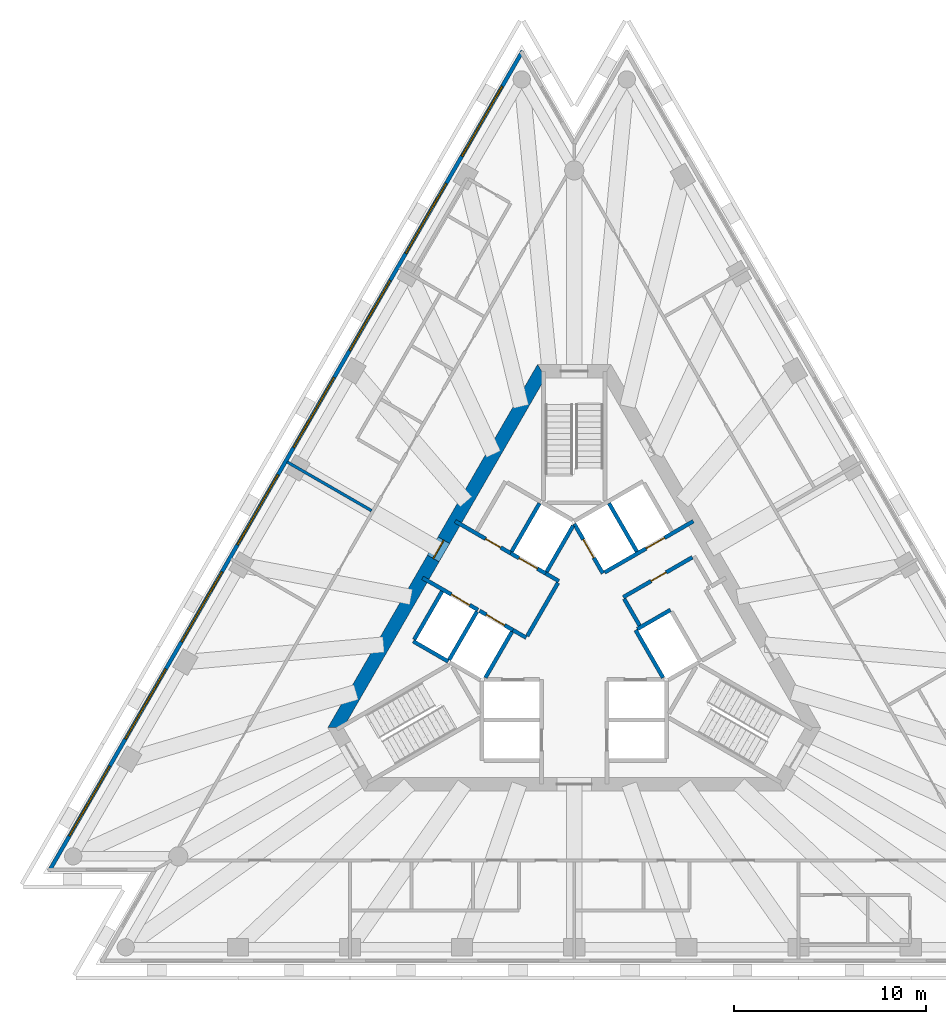
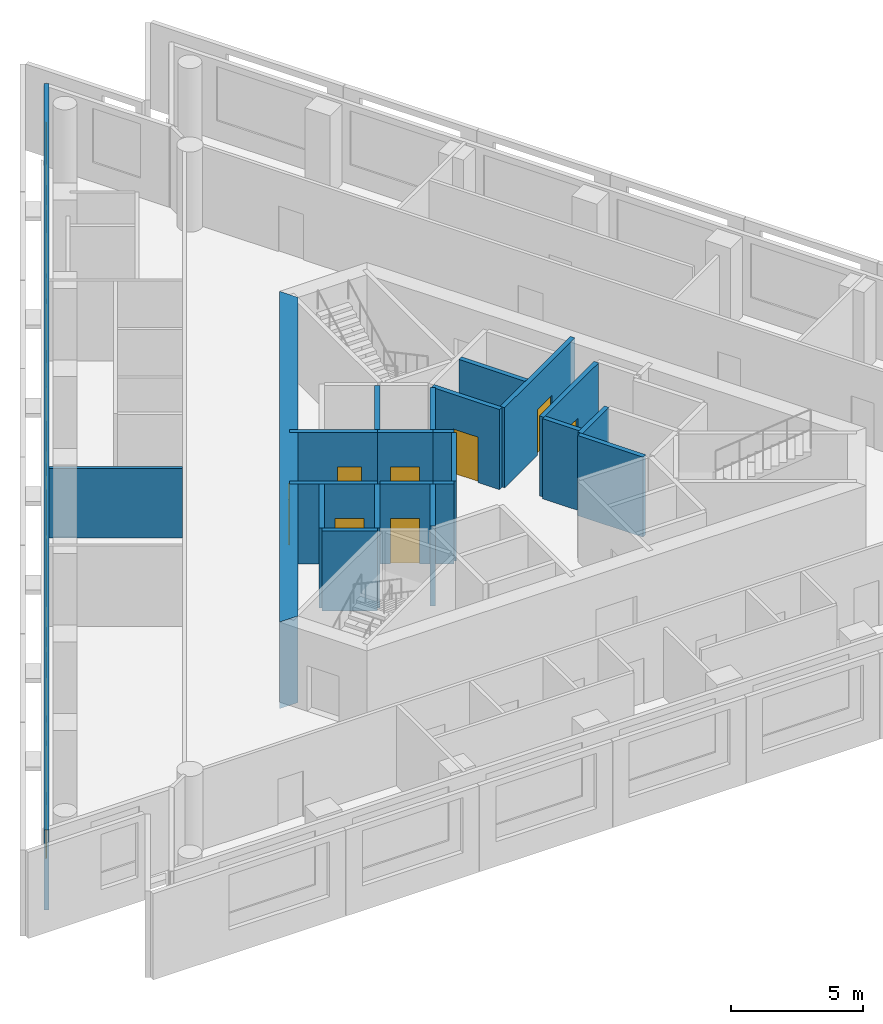
# One storey, part 4 of 10: 23 walls, 8 doors, 8 windows, 16 openings.
"""IFC4 building model written with IfcOpenShell, lengths in metres."""

from ifc_helpers import new_model, si_unit, direction, frame, frame_2d, origin, place, context, subcontext, project, spatial, polyline, rectangle, outline, extrude, material, layer, layer_set, layer_usage, type_object, element, fill, save


model = new_model("IFC4")

# Units and contexts
model_context = context("Model", 3, precision=1e-05, world=origin(), true_north=direction((0.0, 1.0)))
body_context = subcontext(model_context, "Body", "Model", "MODEL_VIEW")
ifc_project = project(units=[si_unit("LENGTHUNIT", "METRE"), si_unit("AREAUNIT", "SQUARE_METRE"), si_unit("VOLUMEUNIT", "CUBIC_METRE"), si_unit("PLANEANGLEUNIT", "RADIAN"), si_unit("MASSUNIT", "GRAM", prefix="KILO")], contexts=[model_context])

# Site, building, storey
site_placement = place(None, origin())
site = spatial("IfcSite", under=ifc_project, at=site_placement, CompositionType="ELEMENT")
building_placement = place(site_placement, origin())
building = spatial("IfcBuilding", under=site, at=building_placement, Name="Triada Interchange Tower", CompositionType="ELEMENT")
storey_placement = place(building_placement, frame((0.0, 0.0, 243.300048828125)))
storey = spatial("IfcBuildingStorey", under=building, at=storey_placement, Name="L57", CompositionType="ELEMENT", Elevation=243.300048828125)

# Walls
ifc_material_1 = material(Name="Concrete C30/37", Category="concrete")
ifc_layer_1 = layer(ifc_material_1, 0.199951171875)
ifc_layer_set_1 = layer_set([ifc_layer_1], Name="CORE WALL 200 EI 120")
wall_type_1 = type_object("IfcWallType", Name="CORE WALL 200 EI 120", PredefinedType="SOLIDWALL", material=ifc_layer_set_1)
wall_1_placement = place(storey_placement, frame((-8.3759765625, -0.70703125, 0.0), z_axis=(0.0, 0.0, 1.0), x_axis=(0.866067520717, -0.499927044236, 0.0)))
element("IfcWall", 1, at=wall_1_placement, inside=storey, type_object=wall_type_1, Name="Wall L56 41", PredefinedType="SOLIDWALL", context=body_context, shape_type="SweptSolid", body=[
    extrude(rectangle(XDim=2.100341796875, YDim=0.199951171875, at=frame_2d((1.05029296875, 0.0))), origin(), (0.0, 0.0, 1.0), 3.699951171875),
])
wall_2_placement = place(storey_placement, frame((-8.325927734375, -0.6201171875, 0.0), z_axis=(0.0, 0.0, 1.0), x_axis=(0.500023687443, 0.866011727401, 0.0)))
element("IfcWall", 2, at=wall_2_placement, inside=storey, type_object=wall_type_1, Name="Wall L56 42", PredefinedType="SOLIDWALL", context=body_context, shape_type="SweptSolid", body=[
    extrude(rectangle(XDim=2.899658203125, YDim=0.199951171875, at=frame_2d((1.44970703125, 0.0))), origin(), (0.0, 0.0, 1.0), 3.699951171875),
])

# Wall, opening, door
wall_3_placement = place(storey_placement, frame((0.0, 5.39990234375, 0.0), z_axis=(0.0, 0.0, 1.0), x_axis=(0.500103862429, -0.865965430478, 0.0)))
wall_3 = element("IfcWall", 3, at=wall_3_placement, inside=storey, type_object=wall_type_1, Name="Wall L56 52", PredefinedType="SOLIDWALL", context=body_context, shape_type="SweptSolid", body=[
    extrude(rectangle(XDim=2.973388671875, YDim=0.199951171875, at=frame_2d((1.48681640625, 0.0))), origin(), (0.0, 0.0, 1.0), 3.699951171875),
])
opening_1_placement = place(wall_3_placement, frame((0.93701171875, 0.0, 0.0)))
opening_1 = element("IfcOpeningElement", 4, at=opening_1_placement, cuts=wall_3, Name="Opening LD-HR5", PredefinedType="OPENING", context=body_context, shape_type="SweptSolid", body=[
    extrude(rectangle(XDim=1.10009765625, YDim=2.10009765625, at=frame_2d((0.550048828125, 1.050048828125))), frame((0.0, 0.10986328125, 0.0), z_axis=(0.0, -1.0, 0.0), x_axis=(1.0, 0.0, 0.0)), (0.0, 0.0, 1.0), 0.219970703125),
])
ifc_material_2 = material(Name="Steel S235 door leaf", Category="steel")
door_type_1 = type_object("IfcDoorType", Name="LIFT LANDING DOOR 1100 EI 120", OperationType="SLIDING_TO_LEFT", PredefinedType="DOOR", material=ifc_material_2)
door_1_placement = place(opening_1_placement, origin())
door_1 = element("IfcDoor", 5, at=door_1_placement, inside=storey, type_object=door_type_1, Name="HR5 landing door L57", OperationType="SLIDING_TO_LEFT", OverallHeight=2.10009765625, OverallWidth=1.10009765625, PredefinedType="DOOR", context=body_context, shape_type="SweptSolid", body=[
    extrude(rectangle(XDim=1.10009765625, YDim=2.10009765625, at=frame_2d((0.550048828125, 1.050048828125))), frame((0.0, 0.02490234375, 0.0), z_axis=(0.0, -1.0, 0.0), x_axis=(1.0, 0.0, 0.0)), (0.0, 0.0, 1.0), 0.050048828125),
])
fill(opening_1, door_1)

# Wall
wall_4_placement = place(storey_placement, frame((3.18994140625, -0.125, 0.0), z_axis=(0.0, 0.0, 1.0), x_axis=(0.499988658015, -0.866031951983, 0.0)))
element("IfcWall", 6, at=wall_4_placement, inside=storey, type_object=wall_type_1, Name="Wall L56 53", PredefinedType="SOLIDWALL", context=body_context, shape_type="SweptSolid", body=[
    extrude(rectangle(XDim=2.85791015625, YDim=0.199951171875, at=frame_2d((1.428955078125, 0.0))), origin(), (0.0, 0.0, 1.0), 3.699951171875),
])

# Wall, opening, door
wall_5_placement = place(storey_placement, frame((1.577880859375, 2.8740234375, 0.0), z_axis=(0.0, 0.0, 1.0), x_axis=(0.866045911672, 0.499964477614, 0.0)))
wall_5 = element("IfcWall", 7, at=wall_5_placement, inside=storey, type_object=wall_type_1, Name="Wall L56 54", PredefinedType="SOLIDWALL", context=body_context, shape_type="SweptSolid", body=[
    extrude(rectangle(XDim=5.32666015625, YDim=0.199951171875, at=frame_2d((2.663330078125, 0.0))), origin(), (0.0, 0.0, 1.0), 3.699951171875),
])
opening_2_placement = place(wall_5_placement, frame((2.49609375, 0.0, 0.0)))
opening_2 = element("IfcOpeningElement", 8, at=opening_2_placement, cuts=wall_5, Name="Opening LD-HR6", PredefinedType="OPENING", context=body_context, shape_type="SweptSolid", body=[
    extrude(rectangle(XDim=1.10009765625, YDim=2.10009765625, at=frame_2d((0.550048828125, 1.050048828125))), frame((0.0, 0.10986328125, 0.0), z_axis=(0.0, -1.0, 0.0), x_axis=(1.0, 0.0, 0.0)), (0.0, 0.0, 1.0), 0.219970703125),
])
door_2_placement = place(opening_2_placement, origin())
door_2 = element("IfcDoor", 9, at=door_2_placement, inside=storey, type_object=door_type_1, Name="HR6 landing door L57", OperationType="SLIDING_TO_LEFT", OverallHeight=2.10009765625, OverallWidth=1.10009765625, PredefinedType="DOOR", context=body_context, shape_type="SweptSolid", body=[
    extrude(rectangle(XDim=1.10009765625, YDim=2.10009765625, at=frame_2d((0.550048828125, 1.050048828125))), frame((0.0, 0.02490234375, 0.0), z_axis=(0.0, -1.0, 0.0), x_axis=(1.0, 0.0, 0.0)), (0.0, 0.0, 1.0), 0.050048828125),
])
fill(opening_2, door_2)

# Walls
wall_6_placement = place(storey_placement, frame((3.278076171875, -0.071044921875, 0.0), z_axis=(0.0, 0.0, 1.0), x_axis=(0.865855657918, 0.500293893279, 0.0)))
element("IfcWall", 10, at=wall_6_placement, inside=storey, type_object=wall_type_1, Name="Wall L56 57", PredefinedType="SOLIDWALL", context=body_context, shape_type="SweptSolid", body=[
    extrude(rectangle(XDim=1.996826171875, YDim=0.199951171875, at=frame_2d((0.99853515625, 0.0))), origin(), (0.0, 0.0, 1.0), 3.699951171875),
])
wall_7_placement = place(storey_placement, frame((1.806884765625, 6.469970703125, 0.0), z_axis=(0.0, 0.0, 1.0), x_axis=(0.50012328804, -0.865954211699, 0.0)))
element("IfcWall", 11, at=wall_7_placement, inside=storey, type_object=wall_type_1, Name="Wall L56 60", PredefinedType="SOLIDWALL", context=body_context, shape_type="SweptSolid", body=[
    extrude(rectangle(XDim=2.899658203125, YDim=0.199951171875, at=frame_2d((1.44970703125, 0.0))), origin(), (0.0, 0.0, 1.0), 3.699951171875),
])

# Wall, opening, door
wall_8_placement = place(storey_placement, frame((2.548095703125, 1.5869140625, 0.0), z_axis=(0.0, 0.0, 1.0), x_axis=(0.866004344652, 0.500036473714, 0.0)))
wall_8 = element("IfcWall", 12, at=wall_8_placement, inside=storey, type_object=wall_type_1, Name="Wall L56 64", PredefinedType="SOLIDWALL", context=body_context, shape_type="SweptSolid", body=[
    extrude(rectangle(XDim=4.150146484375, YDim=0.199951171875, at=frame_2d((2.0751953125, 0.0))), origin(), (0.0, 0.0, 1.0), 3.699951171875),
])
opening_3_placement = place(wall_8_placement, frame((1.675048828125, 0.0, 0.0)))
opening_3 = element("IfcOpeningElement", 13, at=opening_3_placement, cuts=wall_8, Name="Opening D56-46", PredefinedType="OPENING", context=body_context, shape_type="SweptSolid", body=[
    extrude(rectangle(XDim=0.89990234375, YDim=2.10009765625, at=frame_2d((0.449951171875, 1.050048828125))), frame((0.0, 0.10986328125, 0.0), z_axis=(0.0, -1.0, 0.0), x_axis=(1.0, 0.0, 0.0)), (0.0, 0.0, 1.0), 0.219970703125),
])
door_type_2 = type_object("IfcDoorType", Name="SERVICE DOOR 900 EI2 45-C5S200", OperationType="NOTDEFINED", PredefinedType="DOOR", material=ifc_material_2)
door_3_placement = place(opening_3_placement, origin())
door_3 = element("IfcDoor", 14, at=door_3_placement, inside=storey, type_object=door_type_2, Name="Door D56-46 L57", OperationType="SINGLE_SWING_RIGHT", OverallHeight=2.10009765625, OverallWidth=0.89990234375, PredefinedType="DOOR", context=body_context, shape_type="SweptSolid", body=[
    extrude(rectangle(XDim=0.89990234375, YDim=2.10009765625, at=frame_2d((0.449951171875, 1.050048828125))), frame((0.0, 0.02490234375, 0.0), z_axis=(0.0, -1.0, 0.0), x_axis=(1.0, 0.0, 0.0)), (0.0, 0.0, 1.0), 0.050048828125),
])
fill(opening_3, door_3)

# Wall
wall_9_placement = place(storey_placement, frame((2.597900390625, 1.5, 0.0), z_axis=(0.0, 0.0, 1.0), x_axis=(0.499929347863, -0.866066190972, 0.0)))
element("IfcWall", 15, at=wall_9_placement, inside=storey, type_object=wall_type_1, Name="Wall L56 65", PredefinedType="SOLIDWALL", context=body_context, shape_type="SweptSolid", body=[
    extrude(rectangle(XDim=1.600341796875, YDim=0.199951171875, at=frame_2d((0.80029296875, 0.0))), origin(), (0.0, 0.0, 1.0), 3.699951171875),
])

# Wall, opening, door
ifc_layer_2 = layer(ifc_material_1, 0.199951171875)
ifc_layer_set_2 = layer_set([ifc_layer_2], Name="CORE WALL 200 EI 180")
wall_type_2 = type_object("IfcWallType", Name="CORE WALL 200 EI 180", PredefinedType="SOLIDWALL", material=ifc_layer_set_2)
wall_10_placement = place(storey_placement, frame((-7.89111328125, 2.593017578125, 0.0), z_axis=(0.0, 0.0, 1.0), x_axis=(0.866070917804, -0.499921159118, 0.0)))
wall_10 = element("IfcWall", 16, at=wall_10_placement, inside=storey, type_object=wall_type_2, Name="Wall L56 66", PredefinedType="SOLIDWALL", context=body_context, shape_type="SweptSolid", body=[
    extrude(rectangle(XDim=3.33251953125, YDim=0.199951171875, at=frame_2d((1.666259765625, 0.0))), origin(), (0.0, 0.0, 1.0), 3.699951171875),
])
opening_4_placement = place(wall_10_placement, frame((1.72998046875, 0.0, 0.0)))
opening_4 = element("IfcOpeningElement", 17, at=opening_4_placement, cuts=wall_10, Name="Opening LD-SV1", PredefinedType="OPENING", context=body_context, shape_type="SweptSolid", body=[
    extrude(rectangle(XDim=1.10009765625, YDim=2.10009765625, at=frame_2d((0.550048828125, 1.050048828125))), frame((0.0, 0.10986328125, 0.0), z_axis=(0.0, -1.0, 0.0), x_axis=(1.0, 0.0, 0.0)), (0.0, 0.0, 1.0), 0.219970703125),
])
door_4_placement = place(opening_4_placement, origin())
door_4 = element("IfcDoor", 18, at=door_4_placement, inside=storey, type_object=door_type_1, Name="SV1 landing door L57", OperationType="SLIDING_TO_LEFT", OverallHeight=2.10009765625, OverallWidth=1.10009765625, PredefinedType="DOOR", context=body_context, shape_type="SweptSolid", body=[
    extrude(rectangle(XDim=1.10009765625, YDim=2.10009765625, at=frame_2d((0.550048828125, 1.050048828125))), frame((0.0, 0.02490234375, 0.0), z_axis=(0.0, -1.0, 0.0), x_axis=(1.0, 0.0, 0.0)), (0.0, 0.0, 1.0), 0.050048828125),
])
fill(opening_4, door_4)

# Wall
wall_11_placement = place(storey_placement, frame((-3.18798828125, -0.1220703125, 0.0), z_axis=(0.0, 0.0, 1.0), x_axis=(0.865705793592, -0.50055317294, 0.0)))
element("IfcWall", 19, at=wall_11_placement, inside=storey, type_object=wall_type_2, Name="Wall L56 67", PredefinedType="SOLIDWALL", context=body_context, shape_type="SweptSolid", body=[
    extrude(rectangle(XDim=0.796875, YDim=0.199951171875, at=frame_2d((0.3984375, 0.0))), origin(), (0.0, 0.0, 1.0), 3.699951171875),
])

# Wall, opening, door
wall_12_placement = place(storey_placement, frame((-6.19091796875, 5.537109375, 0.0), z_axis=(0.0, 0.0, 1.0), x_axis=(0.866052607023, -0.499952879648, 0.0)))
wall_12 = element("IfcWall", 20, at=wall_12_placement, inside=storey, type_object=wall_type_2, Name="Wall L56 68", PredefinedType="SOLIDWALL", context=body_context, shape_type="SweptSolid", body=[
    extrude(rectangle(XDim=3.332275390625, YDim=0.199951171875, at=frame_2d((1.666015625, 0.0))), origin(), (0.0, 0.0, 1.0), 3.699951171875),
])
opening_5_placement = place(wall_12_placement, frame((1.830078125, 0.0, 0.0)))
opening_5 = element("IfcOpeningElement", 21, at=opening_5_placement, cuts=wall_12, Name="Opening D56-10", PredefinedType="OPENING", context=body_context, shape_type="SweptSolid", body=[
    extrude(rectangle(XDim=0.89990234375, YDim=2.10009765625, at=frame_2d((0.449951171875, 1.050048828125))), frame((0.0, 0.10986328125, 0.0), z_axis=(0.0, -1.0, 0.0), x_axis=(1.0, 0.0, 0.0)), (0.0, 0.0, 1.0), 0.219970703125),
])
door_type_3 = type_object("IfcDoorType", Name="SERVICE DOOR 900 EI2 90-C5S200", OperationType="NOTDEFINED", PredefinedType="DOOR", material=ifc_material_2)
door_5_placement = place(opening_5_placement, origin())
door_5 = element("IfcDoor", 22, at=door_5_placement, inside=storey, type_object=door_type_3, Name="Door D56-10 L57", OperationType="SINGLE_SWING_LEFT", OverallHeight=2.10009765625, OverallWidth=0.89990234375, PredefinedType="DOOR", context=body_context, shape_type="SweptSolid", body=[
    extrude(rectangle(XDim=0.89990234375, YDim=2.10009765625, at=frame_2d((0.449951171875, 1.050048828125))), frame((0.0, 0.02490234375, 0.0), z_axis=(0.0, -1.0, 0.0), x_axis=(1.0, 0.0, 0.0)), (0.0, 0.0, 1.0), 0.050048828125),
])
fill(opening_5, door_5)

# Walls
wall_13_placement = place(storey_placement, frame((-1.488037109375, 2.822021484375, 0.0), z_axis=(0.0, 0.0, 1.0), x_axis=(0.866236612152, -0.499633997809, 0.0)))
element("IfcWall", 23, at=wall_13_placement, inside=storey, type_object=wall_type_2, Name="Wall L56 69", PredefinedType="SOLIDWALL", context=body_context, shape_type="SweptSolid", body=[
    extrude(rectangle(XDim=0.79638671875, YDim=0.199951171875, at=frame_2d((0.398193359375, 0.0))), origin(), (0.0, 0.0, 1.0), 3.699951171875),
])
wall_14_placement = place(storey_placement, frame((-2.444091796875, -0.43310546875, 0.0), z_axis=(0.0, 0.0, 1.0), x_axis=(0.500035624827, 0.866004834804, 0.0)))
element("IfcWall", 24, at=wall_14_placement, inside=storey, type_object=wall_type_2, Name="Wall L56 72", PredefinedType="SOLIDWALL", context=body_context, shape_type="SweptSolid", body=[
    extrude(rectangle(XDim=3.194091796875, YDim=0.199951171875, at=frame_2d((1.59716796875, 0.0))), origin(), (0.0, 0.0, 1.0), 3.699951171875),
])
wall_15_placement = place(storey_placement, frame((-6.507080078125, -1.669921875, 0.0), z_axis=(0.0, 0.0, 1.0), x_axis=(0.50012328804, 0.865954211699, 0.0)))
element("IfcWall", 25, at=wall_15_placement, inside=storey, type_object=wall_type_2, Name="Shaft wall FF1 L56 73", PredefinedType="SOLIDWALL", context=body_context, shape_type="SweptSolid", body=[
    extrude(rectangle(XDim=2.899658203125, YDim=0.199951171875, at=frame_2d((1.44970703125, 0.0))), origin(), (0.0, 0.0, 1.0), 3.699951171875),
])

# Wall, opening, door
wall_16_placement = place(storey_placement, frame((-4.922119140625, 0.87890625, 0.0), z_axis=(0.0, 0.0, 1.0), x_axis=(0.866073918653, -0.499915960366, 0.0)))
wall_16 = element("IfcWall", 26, at=wall_16_placement, inside=storey, type_object=wall_type_2, Name="Shaft wall FF1 L56 75", PredefinedType="SOLIDWALL", context=body_context, shape_type="SweptSolid", body=[
    extrude(rectangle(XDim=2.002197265625, YDim=0.199951171875, at=frame_2d((1.0009765625, 0.0))), origin(), (0.0, 0.0, 1.0), 3.699951171875),
])
opening_6_placement = place(wall_16_placement, frame((0.402099609375, 0.0, 0.0)))
opening_6 = element("IfcOpeningElement", 27, at=opening_6_placement, cuts=wall_16, Name="Opening LD-FF1", PredefinedType="OPENING", context=body_context, shape_type="SweptSolid", body=[
    extrude(rectangle(XDim=1.10009765625, YDim=2.10009765625, at=frame_2d((0.550048828125, 1.050048828125))), frame((0.0, 0.10986328125, 0.0), z_axis=(0.0, -1.0, 0.0), x_axis=(1.0, 0.0, 0.0)), (0.0, 0.0, 1.0), 0.219970703125),
])
door_6_placement = place(opening_6_placement, origin())
door_6 = element("IfcDoor", 28, at=door_6_placement, inside=storey, type_object=door_type_1, Name="FF1 landing door L57", OperationType="SLIDING_TO_LEFT", OverallHeight=2.10009765625, OverallWidth=1.10009765625, PredefinedType="DOOR", context=body_context, shape_type="SweptSolid", body=[
    extrude(rectangle(XDim=1.10009765625, YDim=2.10009765625, at=frame_2d((0.550048828125, 1.050048828125))), frame((0.0, 0.02490234375, 0.0), z_axis=(0.0, -1.0, 0.0), x_axis=(1.0, 0.0, 0.0)), (0.0, 0.0, 1.0), 0.050048828125),
])
fill(opening_6, door_6)

# Wall
wall_17_placement = place(storey_placement, frame((-4.618896484375, -2.60009765625, 0.0), z_axis=(0.0, 0.0, 1.0), x_axis=(0.50009492287, 0.865970593103, 0.0)))
element("IfcWall", 29, at=wall_17_placement, inside=storey, type_object=wall_type_2, Name="Shaft wall FF1 L56 76", PredefinedType="SOLIDWALL", context=body_context, shape_type="SweptSolid", body=[
    extrude(rectangle(XDim=2.76123046875, YDim=0.199951171875, at=frame_2d((1.380615234375, 0.0))), origin(), (0.0, 0.0, 1.0), 3.699951171875),
])

# Wall, opening, door
wall_18_placement = place(storey_placement, frame((-3.30908203125, 3.873046875, 0.0), z_axis=(0.0, 0.0, 1.0), x_axis=(0.866098583652, -0.499873227325, 0.0)))
wall_18 = element("IfcWall", 30, at=wall_18_placement, inside=storey, type_object=wall_type_2, Name="Shaft wall FF2 L56 77", PredefinedType="SOLIDWALL", context=body_context, shape_type="SweptSolid", body=[
    extrude(rectangle(XDim=2.1025390625, YDim=0.199951171875, at=frame_2d((1.05126953125, 0.0))), origin(), (0.0, 0.0, 1.0), 3.699951171875),
])
opening_7_placement = place(wall_18_placement, frame((0.501953125, 0.0, 0.0)))
opening_7 = element("IfcOpeningElement", 31, at=opening_7_placement, cuts=wall_18, Name="Opening LD-FF2", PredefinedType="OPENING", context=body_context, shape_type="SweptSolid", body=[
    extrude(rectangle(XDim=1.10009765625, YDim=2.10009765625, at=frame_2d((0.550048828125, 1.050048828125))), frame((0.0, 0.10986328125, 0.0), z_axis=(0.0, -1.0, 0.0), x_axis=(1.0, 0.0, 0.0)), (0.0, 0.0, 1.0), 0.219970703125),
])
door_7_placement = place(opening_7_placement, origin())
door_7 = element("IfcDoor", 32, at=door_7_placement, inside=storey, type_object=door_type_1, Name="FF2 landing door L57", OperationType="SLIDING_TO_LEFT", OverallHeight=2.10009765625, OverallWidth=1.10009765625, PredefinedType="DOOR", context=body_context, shape_type="SweptSolid", body=[
    extrude(rectangle(XDim=1.10009765625, YDim=2.10009765625, at=frame_2d((0.550048828125, 1.050048828125))), frame((0.0, 0.02490234375, 0.0), z_axis=(0.0, -1.0, 0.0), x_axis=(1.0, 0.0, 0.0)), (0.0, 0.0, 1.0), 0.050048828125),
])
fill(opening_7, door_7)

# Walls
wall_19_placement = place(storey_placement, frame((-3.257080078125, 3.958984375, 0.0), z_axis=(0.0, 0.0, 1.0), x_axis=(0.50012328804, 0.865954211699, 0.0)))
element("IfcWall", 33, at=wall_19_placement, inside=storey, type_object=wall_type_2, Name="Shaft wall FF2 L56 78", PredefinedType="SOLIDWALL", context=body_context, shape_type="SweptSolid", body=[
    extrude(rectangle(XDim=2.899658203125, YDim=0.199951171875, at=frame_2d((1.44970703125, 0.0))), origin(), (0.0, 0.0, 1.0), 3.699951171875),
])
wall_20_placement = place(storey_placement, frame((-1.43798828125, 2.908935546875, 0.0), z_axis=(0.0, 0.0, 1.0), x_axis=(0.499829630636, 0.866123744241, 0.0)))
element("IfcWall", 34, at=wall_20_placement, inside=storey, type_object=wall_type_2, Name="Shaft wall FF2 L56 80", PredefinedType="SOLIDWALL", context=body_context, shape_type="SweptSolid", body=[
    extrude(rectangle(XDim=2.7607421875, YDim=0.199951171875, at=frame_2d((1.38037109375, 0.0))), origin(), (0.0, 0.0, 1.0), 3.699951171875),
])

# Wall, opening, door
ifc_material_3 = material(Name="Concrete C50/60", Category="concrete")
ifc_layer_3 = layer(ifc_material_3, 0.699951171875)
ifc_layer_set_3 = layer_set([ifc_layer_3], Name="Core wall C 700")
wall_type_3 = type_object("IfcWallType", Name="Core wall C 700", PredefinedType="SHEAR", material=ifc_layer_set_3)
wall_21_placement = place(storey_placement, frame((-1.702880859375, 13.35009765625, -0.300048828125), z_axis=(0.0, 0.0, 1.0), x_axis=(-0.500011533395, -0.866018744874, 0.0)))
wall_21 = element("IfcWall", 35, at=wall_21_placement, inside=storey, type_object=wall_type_3, Name="Core wall WC02 L57", PredefinedType="SHEAR", context=body_context, shape_type="SweptSolid", body=[
    extrude(outline(polyline([(-0.201904296875, -0.35009765625), (1.781982421875, -0.35009765625), (3.76611328125, -0.35009765625), (5.75, -0.35009765625), (7.734130859375, -0.35009765625), (9.718017578125, -0.35009765625), (11.7021484375, -0.35009765625), (13.68603515625, -0.35009765625), (15.670166015625, -0.35009765625), (17.654052734375, -0.35009765625), (19.63818359375, -0.35009765625), (21.6220703125, -0.35009765625), (21.218017578125, 0.35009765625), (19.307373046875, 0.35009765625), (17.39697265625, 0.35009765625), (15.486328125, 0.35009765625), (13.57568359375, 0.35009765625), (11.665283203125, 0.35009765625), (9.754638671875, 0.35009765625), (7.84423828125, 0.35009765625), (5.93359375, 0.35009765625), (4.02294921875, 0.35009765625), (2.112548828125, 0.35009765625), (0.201904296875, 0.35009765625), (-0.201904296875, -0.35009765625)])), origin(), (0.0, 0.0, 1.0), 4.0),
])
opening_8_placement = place(wall_21_placement, frame((10.159912109375, 0.0, 0.300048828125)))
opening_8 = element("IfcOpeningElement", 36, at=opening_8_placement, cuts=wall_21, Name="Opening D56-43", PredefinedType="OPENING", context=body_context, shape_type="SweptSolid", body=[
    extrude(rectangle(XDim=1.10009765625, YDim=2.10009765625, at=frame_2d((0.550048828125, 1.050048828125))), frame((0.0, 0.360107421875, 0.0), z_axis=(0.0, -1.0, 0.0), x_axis=(1.0, 0.0, 0.0)), (0.0, 0.0, 1.0), 0.72021484375),
])
door_type_4 = type_object("IfcDoorType", Name="FIRE LOBBY DOOR 1100 EI2 90-C5S200", OperationType="NOTDEFINED", PredefinedType="DOOR", material=ifc_material_2)
door_8_placement = place(opening_8_placement, origin())
door_8 = element("IfcDoor", 37, at=door_8_placement, inside=storey, type_object=door_type_4, Name="Door D56-43 L57", OperationType="SINGLE_SWING_RIGHT", OverallHeight=2.10009765625, OverallWidth=1.10009765625, PredefinedType="DOOR", context=body_context, shape_type="SweptSolid", body=[
    extrude(rectangle(XDim=1.10009765625, YDim=2.10009765625, at=frame_2d((0.550048828125, 1.050048828125))), frame((0.0, 0.02490234375, 0.0), z_axis=(0.0, -1.0, 0.0), x_axis=(1.0, 0.0, 0.0)), (0.0, 0.0, 1.0), 0.050048828125),
])
fill(opening_8, door_8)

# Wall, openings, windows
ifc_material_4 = material(Name="Cement board")
ifc_layer_4 = layer(ifc_material_4, 0.02001953125, Name="Cement board cladding")
ifc_material_5 = material(Name="Sheathing board")
ifc_layer_5 = layer(ifc_material_5, 0.014892578125, Name="Sheathing board")
ifc_material_6 = material(Name="Mineral wool")
ifc_layer_6 = layer(ifc_material_6, 0.14990234375, Name="Mineral wool between steel studs")
ifc_material_7 = material(Name="Gypsum board")
ifc_layer_7 = layer(ifc_material_7, 0.014892578125, Name="Plasterboard lining")
ifc_layer_set_4 = layer_set([ifc_layer_4, ifc_layer_5, ifc_layer_6, ifc_layer_7], Name="External wall 200")
ifc_layer_usage = layer_usage(ifc_layer_set_4, "AXIS2", "POSITIVE", -0.10009765625)
wall_type_4 = type_object("IfcWallType", Name="External wall 200", PredefinedType="ELEMENTEDWALL", material=ifc_layer_set_4)
wall_22_placement = place(storey_placement, frame((-2.68701171875, 29.9951171875, 0.0), z_axis=(0.0, 0.0, 1.0), x_axis=(-0.499992950893, -0.86602947355, 0.0)))
wall_22 = element("IfcWall", 38, at=wall_22_placement, inside=storey, type_object=wall_type_4, material=ifc_layer_usage, Name="External wall L57 NW", PredefinedType="ELEMENTEDWALL", context=body_context, shape_type="SweptSolid", body=[
    extrude(rectangle(XDim=49.246826171875, YDim=0.199951171875, at=frame_2d((24.62353515625, 0.0))), origin(), (0.0, 0.0, 1.0), 3.699951171875),
])
opening_9_placement = place(wall_22_placement, frame((2.118896484375, 0.0, 0.89990234375)))
opening_9 = element("IfcOpeningElement", 39, at=opening_9_placement, cuts=wall_22, Name="Opening WC01", PredefinedType="OPENING", context=body_context, shape_type="SweptSolid", body=[
    extrude(rectangle(XDim=4.199951171875, YDim=2.5, at=frame_2d((2.10009765625, 1.25))), frame((0.0, 0.10986328125, 0.0), z_axis=(0.0, -1.0, 0.0), x_axis=(1.0, 0.0, 0.0)), (0.0, 0.0, 1.0), 0.219970703125),
])
opening_10_placement = place(wall_22_placement, frame((7.950927734375, 0.0, 0.89990234375)))
opening_10 = element("IfcOpeningElement", 40, at=opening_10_placement, cuts=wall_22, Name="Opening WC02", PredefinedType="OPENING", context=body_context, shape_type="SweptSolid", body=[
    extrude(rectangle(XDim=4.199951171875, YDim=2.5, at=frame_2d((2.10009765625, 1.25))), frame((0.0, 0.10986328125, 0.0), z_axis=(0.0, -1.0, 0.0), x_axis=(1.0, 0.0, 0.0)), (0.0, 0.0, 1.0), 0.219970703125),
])
opening_11_placement = place(wall_22_placement, frame((13.783935546875, 0.0, 0.89990234375)))
opening_11 = element("IfcOpeningElement", 41, at=opening_11_placement, cuts=wall_22, Name="Opening WC03", PredefinedType="OPENING", context=body_context, shape_type="SweptSolid", body=[
    extrude(rectangle(XDim=4.199951171875, YDim=2.5, at=frame_2d((2.10009765625, 1.25))), frame((0.0, 0.10986328125, 0.0), z_axis=(0.0, -1.0, 0.0), x_axis=(1.0, 0.0, 0.0)), (0.0, 0.0, 1.0), 0.219970703125),
])
opening_12_placement = place(wall_22_placement, frame((19.616943359375, 0.0, 0.89990234375)))
opening_12 = element("IfcOpeningElement", 42, at=opening_12_placement, cuts=wall_22, Name="Opening WC04", PredefinedType="OPENING", context=body_context, shape_type="SweptSolid", body=[
    extrude(rectangle(XDim=4.199951171875, YDim=2.5, at=frame_2d((2.10009765625, 1.25))), frame((0.0, 0.10986328125, 0.0), z_axis=(0.0, -1.0, 0.0), x_axis=(1.0, 0.0, 0.0)), (0.0, 0.0, 1.0), 0.219970703125),
])
opening_13_placement = place(wall_22_placement, frame((25.448974609375, 0.0, 0.89990234375)))
opening_13 = element("IfcOpeningElement", 43, at=opening_13_placement, cuts=wall_22, Name="Opening WC05", PredefinedType="OPENING", context=body_context, shape_type="SweptSolid", body=[
    extrude(rectangle(XDim=4.199951171875, YDim=2.5, at=frame_2d((2.10009765625, 1.25))), frame((0.0, 0.10986328125, 0.0), z_axis=(0.0, -1.0, 0.0), x_axis=(1.0, 0.0, 0.0)), (0.0, 0.0, 1.0), 0.219970703125),
])
opening_14_placement = place(wall_22_placement, frame((31.281982421875, 0.0, 0.89990234375)))
opening_14 = element("IfcOpeningElement", 44, at=opening_14_placement, cuts=wall_22, Name="Opening WC06", PredefinedType="OPENING", context=body_context, shape_type="SweptSolid", body=[
    extrude(rectangle(XDim=4.199951171875, YDim=2.5, at=frame_2d((2.10009765625, 1.25))), frame((0.0, 0.10986328125, 0.0), z_axis=(0.0, -1.0, 0.0), x_axis=(1.0, 0.0, 0.0)), (0.0, 0.0, 1.0), 0.219970703125),
])
opening_15_placement = place(wall_22_placement, frame((37.114990234375, 0.0, 0.89990234375)))
opening_15 = element("IfcOpeningElement", 45, at=opening_15_placement, cuts=wall_22, Name="Opening WC07", PredefinedType="OPENING", context=body_context, shape_type="SweptSolid", body=[
    extrude(rectangle(XDim=4.199951171875, YDim=2.5, at=frame_2d((2.10009765625, 1.25))), frame((0.0, 0.10986328125, 0.0), z_axis=(0.0, -1.0, 0.0), x_axis=(1.0, 0.0, 0.0)), (0.0, 0.0, 1.0), 0.219970703125),
])
opening_16_placement = place(wall_22_placement, frame((42.947021484375, 0.0, 0.89990234375)))
opening_16 = element("IfcOpeningElement", 46, at=opening_16_placement, cuts=wall_22, Name="Opening WC08", PredefinedType="OPENING", context=body_context, shape_type="SweptSolid", body=[
    extrude(rectangle(XDim=4.199951171875, YDim=2.5, at=frame_2d((2.10009765625, 1.25))), frame((0.0, 0.10986328125, 0.0), z_axis=(0.0, -1.0, 0.0), x_axis=(1.0, 0.0, 0.0)), (0.0, 0.0, 1.0), 0.219970703125),
])
ifc_material_8 = material(Name="Double glazed aluminium window", Category="aluminium")
window_type = type_object("IfcWindowType", Name="Ribbon window C face", PartitioningType="SINGLE_PANEL", PredefinedType="WINDOW", material=ifc_material_8)
window_1_placement = place(opening_9_placement, origin())
window_1 = element("IfcWindow", 47, at=window_1_placement, inside=storey, type_object=window_type, Name="Window L57 NW 1", OverallHeight=2.5, OverallWidth=4.199951171875, PartitioningType="SINGLE_PANEL", PredefinedType="WINDOW", context=body_context, shape_type="SweptSolid", body=[
    extrude(rectangle(XDim=4.199951171875, YDim=2.5, at=frame_2d((2.10009765625, 1.25))), frame((0.0, 0.030029296875, 0.0), z_axis=(0.0, -1.0, 0.0), x_axis=(1.0, 0.0, 0.0)), (0.0, 0.0, 1.0), 0.06005859375),
])
fill(opening_9, window_1)
window_2_placement = place(opening_10_placement, origin())
window_2 = element("IfcWindow", 48, at=window_2_placement, inside=storey, type_object=window_type, Name="Window L57 NW 2", OverallHeight=2.5, OverallWidth=4.199951171875, PartitioningType="SINGLE_PANEL", PredefinedType="WINDOW", context=body_context, shape_type="SweptSolid", body=[
    extrude(rectangle(XDim=4.199951171875, YDim=2.5, at=frame_2d((2.10009765625, 1.25))), frame((0.0, 0.030029296875, 0.0), z_axis=(0.0, -1.0, 0.0), x_axis=(1.0, 0.0, 0.0)), (0.0, 0.0, 1.0), 0.06005859375),
])
fill(opening_10, window_2)
window_3_placement = place(opening_11_placement, origin())
window_3 = element("IfcWindow", 49, at=window_3_placement, inside=storey, type_object=window_type, Name="Window L57 NW 3", OverallHeight=2.5, OverallWidth=4.199951171875, PartitioningType="SINGLE_PANEL", PredefinedType="WINDOW", context=body_context, shape_type="SweptSolid", body=[
    extrude(rectangle(XDim=4.199951171875, YDim=2.5, at=frame_2d((2.10009765625, 1.25))), frame((0.0, 0.030029296875, 0.0), z_axis=(0.0, -1.0, 0.0), x_axis=(1.0, 0.0, 0.0)), (0.0, 0.0, 1.0), 0.06005859375),
])
fill(opening_11, window_3)
window_4_placement = place(opening_12_placement, origin())
window_4 = element("IfcWindow", 50, at=window_4_placement, inside=storey, type_object=window_type, Name="Window L57 NW 4", OverallHeight=2.5, OverallWidth=4.199951171875, PartitioningType="SINGLE_PANEL", PredefinedType="WINDOW", context=body_context, shape_type="SweptSolid", body=[
    extrude(rectangle(XDim=4.199951171875, YDim=2.5, at=frame_2d((2.10009765625, 1.25))), frame((0.0, 0.030029296875, 0.0), z_axis=(0.0, -1.0, 0.0), x_axis=(1.0, 0.0, 0.0)), (0.0, 0.0, 1.0), 0.06005859375),
])
fill(opening_12, window_4)
window_5_placement = place(opening_13_placement, origin())
window_5 = element("IfcWindow", 51, at=window_5_placement, inside=storey, type_object=window_type, Name="Window L57 NW 5", OverallHeight=2.5, OverallWidth=4.199951171875, PartitioningType="SINGLE_PANEL", PredefinedType="WINDOW", context=body_context, shape_type="SweptSolid", body=[
    extrude(rectangle(XDim=4.199951171875, YDim=2.5, at=frame_2d((2.10009765625, 1.25))), frame((0.0, 0.030029296875, 0.0), z_axis=(0.0, -1.0, 0.0), x_axis=(1.0, 0.0, 0.0)), (0.0, 0.0, 1.0), 0.06005859375),
])
fill(opening_13, window_5)
window_6_placement = place(opening_14_placement, origin())
window_6 = element("IfcWindow", 52, at=window_6_placement, inside=storey, type_object=window_type, Name="Window L57 NW 6", OverallHeight=2.5, OverallWidth=4.199951171875, PartitioningType="SINGLE_PANEL", PredefinedType="WINDOW", context=body_context, shape_type="SweptSolid", body=[
    extrude(rectangle(XDim=4.199951171875, YDim=2.5, at=frame_2d((2.10009765625, 1.25))), frame((0.0, 0.030029296875, 0.0), z_axis=(0.0, -1.0, 0.0), x_axis=(1.0, 0.0, 0.0)), (0.0, 0.0, 1.0), 0.06005859375),
])
fill(opening_14, window_6)
window_7_placement = place(opening_15_placement, origin())
window_7 = element("IfcWindow", 53, at=window_7_placement, inside=storey, type_object=window_type, Name="Window L57 NW 7", OverallHeight=2.5, OverallWidth=4.199951171875, PartitioningType="SINGLE_PANEL", PredefinedType="WINDOW", context=body_context, shape_type="SweptSolid", body=[
    extrude(rectangle(XDim=4.199951171875, YDim=2.5, at=frame_2d((2.10009765625, 1.25))), frame((0.0, 0.030029296875, 0.0), z_axis=(0.0, -1.0, 0.0), x_axis=(1.0, 0.0, 0.0)), (0.0, 0.0, 1.0), 0.06005859375),
])
fill(opening_15, window_7)
window_8_placement = place(opening_16_placement, origin())
window_8 = element("IfcWindow", 54, at=window_8_placement, inside=storey, type_object=window_type, Name="Window L57 NW 8", OverallHeight=2.5, OverallWidth=4.199951171875, PartitioningType="SINGLE_PANEL", PredefinedType="WINDOW", context=body_context, shape_type="SweptSolid", body=[
    extrude(rectangle(XDim=4.199951171875, YDim=2.5, at=frame_2d((2.10009765625, 1.25))), frame((0.0, 0.030029296875, 0.0), z_axis=(0.0, -1.0, 0.0), x_axis=(1.0, 0.0, 0.0)), (0.0, 0.0, 1.0), 0.06005859375),
])
fill(opening_16, window_8)

# Wall
ifc_material_9 = material(Name="Gypsum board partition")
ifc_layer_8 = layer(ifc_material_9, 0.14990234375)
ifc_layer_set_5 = layer_set([ifc_layer_8], Name="PARTITION 150 EI 180")
wall_type_5 = type_object("IfcWallType", Name="PARTITION 150 EI 180", PredefinedType="PARTITIONING", material=ifc_layer_set_5)
wall_23_placement = place(storey_placement, frame((-14.93408203125, 8.6220703125, 0.0), z_axis=(0.0, 0.0, 1.0), x_axis=(0.86598187042, -0.500075394419, 0.0)))
element("IfcWall", 55, at=wall_23_placement, inside=storey, type_object=wall_type_5, Name="Wall L56 6", PredefinedType="PARTITIONING", context=body_context, shape_type="SweptSolid", body=[
    extrude(rectangle(XDim=5.069580078125, YDim=0.14990234375, at=frame_2d((2.53466796875, 0.0))), origin(), (0.0, 0.0, 1.0), 3.199951171875),
])

save(model, "model.ifc")
